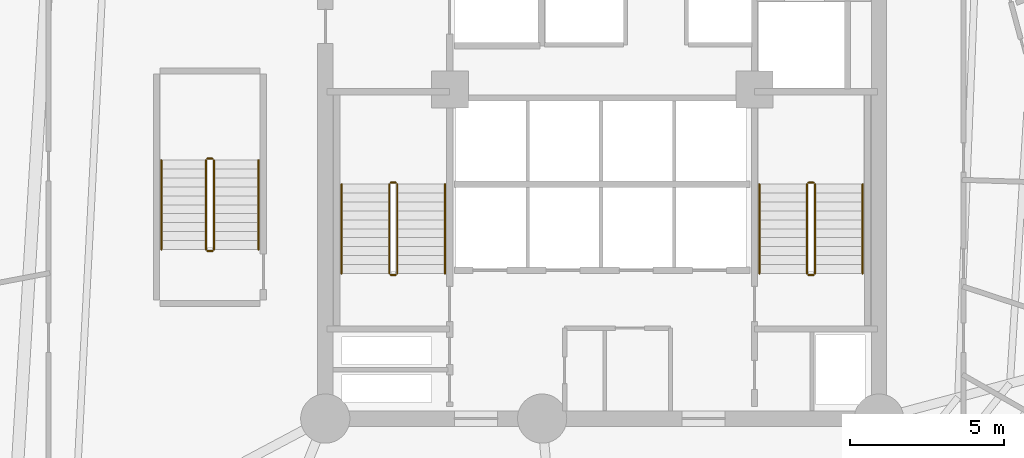
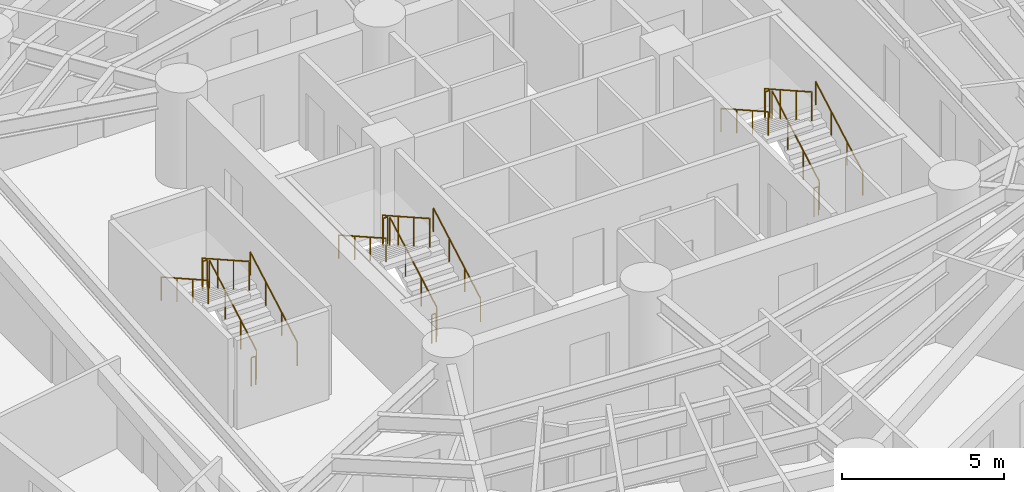
# One storey, part 8 of 8: 18 railings.
"""IFC4 building model written with IfcOpenShell, lengths in metres."""

from ifc_helpers import new_model, si_unit, direction, frame, origin, origin_2d, place, context, subcontext, project, spatial, circle, extrude, material, layer, layer_set, type_object, element, save


model = new_model("IFC4")

# Units and contexts
model_context = context("Model", 3, precision=1e-05, world=origin(), true_north=direction((0.0, 1.0)))
body_context = subcontext(model_context, "Body", "Model", "MODEL_VIEW")
ifc_project = project(units=[si_unit("LENGTHUNIT", "METRE"), si_unit("AREAUNIT", "SQUARE_METRE"), si_unit("VOLUMEUNIT", "CUBIC_METRE"), si_unit("PLANEANGLEUNIT", "RADIAN"), si_unit("MASSUNIT", "GRAM", prefix="KILO")], contexts=[model_context])

# Site, building, storey
site_placement = place(None, origin())
site = spatial("IfcSite", under=ifc_project, at=site_placement, CompositionType="ELEMENT")
building_placement = place(site_placement, origin())
building = spatial("IfcBuilding", under=site, at=building_placement, Name="Karkom Vertical University and Central Library", CompositionType="ELEMENT")
storey_placement = place(building_placement, frame((0.0, 0.0, 62.5)))
storey = spatial("IfcBuildingStorey", under=building, at=storey_placement, Name="L16", CompositionType="ELEMENT", Elevation=62.5)

# Railings
ifc_material_1 = material(Name="Painted galvanised steel balustrade", Category="steel")
ifc_layer_1 = layer(ifc_material_1, 0.06005859375)
ifc_layer_set_1 = layer_set([ifc_layer_1], Name="Painted galvanised steel balustrade")
railing_type_1 = type_object("IfcRailingType", Name="INT-RL-GUARD1100", PredefinedType="GUARDRAIL", material=ifc_layer_set_1)
railing_1_placement = place(storey_placement, frame((21.840087890625, 23.02001953125, 0.16357421875)))
element("IfcRailing", 1, at=railing_1_placement, inside=storey, type_object=railing_type_1, Name="Level 16 ST-1 stair guard 1", PredefinedType="GUARDRAIL", context=body_context, shape_type="SweptSolid", body=[
    extrude(circle(Radius=0.02392578125, at=origin_2d()), frame((0.0, 0.0, 1.076171875), z_axis=(0.0, 0.870897200241, 0.491465224214), x_axis=(-1.0, 0.0, 0.0)), (0.0, 0.0, 1.0), 3.329833984375),
    extrude(circle(Radius=0.02099609375, at=origin_2d()), origin(), (0.0, 0.0, 1.0), 1.052001953125),
    extrude(circle(Radius=0.02099609375, at=origin_2d()), frame((0.0, 0.966552734375, 0.54541015625)), (0.0, 0.0, 1.0), 1.052001953125),
    extrude(circle(Radius=0.02099609375, at=origin_2d()), frame((0.0, 1.933349609375, 1.091064453125)), (0.0, 0.0, 1.0), 1.052001953125),
    extrude(circle(Radius=0.02099609375, at=origin_2d()), frame((0.0, 2.89990234375, 1.636474609375)), (0.0, 0.0, 1.0), 1.052001953125),
])
railing_2_placement = place(storey_placement, frame((21.7900390625, 25.969970703125, 1.800048828125)))
element("IfcRailing", 2, at=railing_2_placement, inside=storey, type_object=railing_type_1, Name="Level 16 ST-1 stair guard 2", PredefinedType="GUARDRAIL", context=body_context, shape_type="SweptSolid", body=[
    extrude(circle(Radius=0.02392578125, at=origin_2d()), frame((0.0, 0.0, 1.076171875), z_axis=(-1.0, 0.0, 0.0), x_axis=(0.0, -1.0, 0.0)), (0.0, 0.0, 1.0), 0.16015625),
    extrude(circle(Radius=0.02099609375, at=origin_2d()), origin(), (0.0, 0.0, 1.0), 1.052001953125),
    extrude(circle(Radius=0.02099609375, at=origin_2d()), frame((-0.16015625, 0.0, 0.0)), (0.0, 0.0, 1.0), 1.052001953125),
])
railing_3_placement = place(storey_placement, frame((21.580078125, 25.919921875, 1.963623046875)))
element("IfcRailing", 3, at=railing_3_placement, inside=storey, type_object=railing_type_1, Name="Level 16 ST-1 stair guard 3", PredefinedType="GUARDRAIL", context=body_context, shape_type="SweptSolid", body=[
    extrude(circle(Radius=0.02392578125, at=origin_2d()), frame((0.0, 0.0, 1.076171875), z_axis=(0.0, -0.870897200241, 0.491465224214), x_axis=(1.0, 0.0, 0.0)), (0.0, 0.0, 1.0), 3.329833984375),
    extrude(circle(Radius=0.02099609375, at=origin_2d()), origin(), (0.0, 0.0, 1.0), 1.052001953125),
    extrude(circle(Radius=0.02099609375, at=origin_2d()), frame((0.0, -0.966552734375, 0.54541015625)), (0.0, 0.0, 1.0), 1.052001953125),
    extrude(circle(Radius=0.02099609375, at=origin_2d()), frame((0.0, -1.933349609375, 1.091064453125)), (0.0, 0.0, 1.0), 1.052001953125),
    extrude(circle(Radius=0.02099609375, at=origin_2d()), frame((0.0, -2.89990234375, 1.636474609375)), (0.0, 0.0, 1.0), 1.052001953125),
])
railing_4_placement = place(storey_placement, frame((21.7900390625, 22.969970703125, 0.0)))
element("IfcRailing", 4, at=railing_4_placement, inside=storey, type_object=railing_type_1, Name="Level 16 ST-1 stair guard 4", PredefinedType="GUARDRAIL", context=body_context, shape_type="SweptSolid", body=[
    extrude(circle(Radius=0.02392578125, at=origin_2d()), frame((0.0, 0.0, 1.076171875), z_axis=(-1.0, 0.0, 0.0), x_axis=(0.0, -1.0, 0.0)), (0.0, 0.0, 1.0), 0.16015625),
    extrude(circle(Radius=0.02099609375, at=origin_2d()), origin(), (0.0, 0.0, 1.0), 1.052001953125),
    extrude(circle(Radius=0.02099609375, at=origin_2d()), frame((-0.16015625, 0.0, 0.0)), (0.0, 0.0, 1.0), 1.052001953125),
])
railing_5_placement = place(storey_placement, frame((35.419921875, 23.02001953125, 0.16357421875)))
element("IfcRailing", 5, at=railing_5_placement, inside=storey, type_object=railing_type_1, Name="Level 16 ST-2 stair guard 1", PredefinedType="GUARDRAIL", context=body_context, shape_type="SweptSolid", body=[
    extrude(circle(Radius=0.02392578125, at=origin_2d()), frame((0.0, 0.0, 1.076171875), z_axis=(0.0, 0.870897200241, 0.491465224214), x_axis=(-1.0, 0.0, 0.0)), (0.0, 0.0, 1.0), 3.329833984375),
    extrude(circle(Radius=0.02099609375, at=origin_2d()), origin(), (0.0, 0.0, 1.0), 1.052001953125),
    extrude(circle(Radius=0.02099609375, at=origin_2d()), frame((0.0, 0.966552734375, 0.54541015625)), (0.0, 0.0, 1.0), 1.052001953125),
    extrude(circle(Radius=0.02099609375, at=origin_2d()), frame((0.0, 1.933349609375, 1.091064453125)), (0.0, 0.0, 1.0), 1.052001953125),
    extrude(circle(Radius=0.02099609375, at=origin_2d()), frame((0.0, 2.89990234375, 1.636474609375)), (0.0, 0.0, 1.0), 1.052001953125),
])
railing_6_placement = place(storey_placement, frame((35.3701171875, 25.969970703125, 1.800048828125)))
element("IfcRailing", 6, at=railing_6_placement, inside=storey, type_object=railing_type_1, Name="Level 16 ST-2 stair guard 2", PredefinedType="GUARDRAIL", context=body_context, shape_type="SweptSolid", body=[
    extrude(circle(Radius=0.02392578125, at=origin_2d()), frame((0.0, 0.0, 1.076171875), z_axis=(-1.0, 0.0, 0.0), x_axis=(0.0, -1.0, 0.0)), (0.0, 0.0, 1.0), 0.16015625),
    extrude(circle(Radius=0.02099609375, at=origin_2d()), origin(), (0.0, 0.0, 1.0), 1.052001953125),
    extrude(circle(Radius=0.02099609375, at=origin_2d()), frame((-0.16015625, 0.0, 0.0)), (0.0, 0.0, 1.0), 1.052001953125),
])
railing_7_placement = place(storey_placement, frame((35.159912109375, 25.919921875, 1.963623046875)))
element("IfcRailing", 7, at=railing_7_placement, inside=storey, type_object=railing_type_1, Name="Level 16 ST-2 stair guard 3", PredefinedType="GUARDRAIL", context=body_context, shape_type="SweptSolid", body=[
    extrude(circle(Radius=0.02392578125, at=origin_2d()), frame((0.0, 0.0, 1.076171875), z_axis=(0.0, -0.870897200241, 0.491465224214), x_axis=(1.0, 0.0, 0.0)), (0.0, 0.0, 1.0), 3.329833984375),
    extrude(circle(Radius=0.02099609375, at=origin_2d()), origin(), (0.0, 0.0, 1.0), 1.052001953125),
    extrude(circle(Radius=0.02099609375, at=origin_2d()), frame((0.0, -0.966552734375, 0.54541015625)), (0.0, 0.0, 1.0), 1.052001953125),
    extrude(circle(Radius=0.02099609375, at=origin_2d()), frame((0.0, -1.933349609375, 1.091064453125)), (0.0, 0.0, 1.0), 1.052001953125),
    extrude(circle(Radius=0.02099609375, at=origin_2d()), frame((0.0, -2.89990234375, 1.636474609375)), (0.0, 0.0, 1.0), 1.052001953125),
])
railing_8_placement = place(storey_placement, frame((35.3701171875, 22.969970703125, 0.0)))
element("IfcRailing", 8, at=railing_8_placement, inside=storey, type_object=railing_type_1, Name="Level 16 ST-2 stair guard 4", PredefinedType="GUARDRAIL", context=body_context, shape_type="SweptSolid", body=[
    extrude(circle(Radius=0.02392578125, at=origin_2d()), frame((0.0, 0.0, 1.076171875), z_axis=(-1.0, 0.0, 0.0), x_axis=(0.0, -1.0, 0.0)), (0.0, 0.0, 1.0), 0.16015625),
    extrude(circle(Radius=0.02099609375, at=origin_2d()), origin(), (0.0, 0.0, 1.0), 1.052001953125),
    extrude(circle(Radius=0.02099609375, at=origin_2d()), frame((-0.16015625, 0.0, 0.0)), (0.0, 0.0, 1.0), 1.052001953125),
])
railing_9_placement = place(storey_placement, frame((15.8798828125, 23.800048828125, 0.16357421875)))
element("IfcRailing", 9, at=railing_9_placement, inside=storey, type_object=railing_type_1, Name="Level 16 ST-3 stair guard 1", PredefinedType="GUARDRAIL", context=body_context, shape_type="SweptSolid", body=[
    extrude(circle(Radius=0.02392578125, at=origin_2d()), frame((0.0, 0.0, 1.076171875), z_axis=(0.0, 0.870897200241, 0.491465224214), x_axis=(-1.0, 0.0, 0.0)), (0.0, 0.0, 1.0), 3.329833984375),
    extrude(circle(Radius=0.02099609375, at=origin_2d()), origin(), (0.0, 0.0, 1.0), 1.052001953125),
    extrude(circle(Radius=0.02099609375, at=origin_2d()), frame((0.0, 0.966552734375, 0.54541015625)), (0.0, 0.0, 1.0), 1.052001953125),
    extrude(circle(Radius=0.02099609375, at=origin_2d()), frame((0.0, 1.933349609375, 1.091064453125)), (0.0, 0.0, 1.0), 1.052001953125),
    extrude(circle(Radius=0.02099609375, at=origin_2d()), frame((0.0, 2.89990234375, 1.636474609375)), (0.0, 0.0, 1.0), 1.052001953125),
])
railing_10_placement = place(storey_placement, frame((15.830078125, 26.75, 1.800048828125)))
element("IfcRailing", 10, at=railing_10_placement, inside=storey, type_object=railing_type_1, Name="Level 16 ST-3 stair guard 2", PredefinedType="GUARDRAIL", context=body_context, shape_type="SweptSolid", body=[
    extrude(circle(Radius=0.02392578125, at=origin_2d()), frame((0.0, 0.0, 1.076171875), z_axis=(-1.0, 0.0, 0.0), x_axis=(0.0, -1.0, 0.0)), (0.0, 0.0, 1.0), 0.16015625),
    extrude(circle(Radius=0.02099609375, at=origin_2d()), origin(), (0.0, 0.0, 1.0), 1.052001953125),
    extrude(circle(Radius=0.02099609375, at=origin_2d()), frame((-0.16015625, 0.0, 0.0)), (0.0, 0.0, 1.0), 1.052001953125),
])
railing_11_placement = place(storey_placement, frame((15.6201171875, 26.699951171875, 1.963623046875)))
element("IfcRailing", 11, at=railing_11_placement, inside=storey, type_object=railing_type_1, Name="Level 16 ST-3 stair guard 3", PredefinedType="GUARDRAIL", context=body_context, shape_type="SweptSolid", body=[
    extrude(circle(Radius=0.02392578125, at=origin_2d()), frame((0.0, 0.0, 1.076171875), z_axis=(0.0, -0.870897200241, 0.491465224214), x_axis=(1.0, 0.0, 0.0)), (0.0, 0.0, 1.0), 3.329833984375),
    extrude(circle(Radius=0.02099609375, at=origin_2d()), origin(), (0.0, 0.0, 1.0), 1.052001953125),
    extrude(circle(Radius=0.02099609375, at=origin_2d()), frame((0.0, -0.966552734375, 0.54541015625)), (0.0, 0.0, 1.0), 1.052001953125),
    extrude(circle(Radius=0.02099609375, at=origin_2d()), frame((0.0, -1.933349609375, 1.091064453125)), (0.0, 0.0, 1.0), 1.052001953125),
    extrude(circle(Radius=0.02099609375, at=origin_2d()), frame((0.0, -2.89990234375, 1.636474609375)), (0.0, 0.0, 1.0), 1.052001953125),
])
railing_12_placement = place(storey_placement, frame((15.830078125, 23.75, 0.0)))
element("IfcRailing", 12, at=railing_12_placement, inside=storey, type_object=railing_type_1, Name="Level 16 ST-3 stair guard 4", PredefinedType="GUARDRAIL", context=body_context, shape_type="SweptSolid", body=[
    extrude(circle(Radius=0.02392578125, at=origin_2d()), frame((0.0, 0.0, 1.076171875), z_axis=(-1.0, 0.0, 0.0), x_axis=(0.0, -1.0, 0.0)), (0.0, 0.0, 1.0), 0.16015625),
    extrude(circle(Radius=0.02099609375, at=origin_2d()), origin(), (0.0, 0.0, 1.0), 1.052001953125),
    extrude(circle(Radius=0.02099609375, at=origin_2d()), frame((-0.16015625, 0.0, 0.0)), (0.0, 0.0, 1.0), 1.052001953125),
])
ifc_material_2 = material(Name="Brushed stainless-steel tubular handrail", Category="steel")
ifc_layer_2 = layer(ifc_material_2, 0.048095703125)
ifc_layer_set_2 = layer_set([ifc_layer_2], Name="Brushed stainless-steel tubular handrail")
railing_type_2 = type_object("IfcRailingType", Name="INT-RL-HAND920", PredefinedType="HANDRAIL", material=ifc_layer_set_2)
railing_13_placement = place(storey_placement, frame((23.389892578125, 23.02001953125, 0.16357421875)))
element("IfcRailing", 13, at=railing_13_placement, inside=storey, type_object=railing_type_2, Name="Level 16 ST-1 stair handrail 1", PredefinedType="HANDRAIL", context=body_context, shape_type="SweptSolid", body=[
    extrude(circle(Radius=0.02392578125, at=origin_2d()), frame((0.0, 0.0, 0.8759765625), z_axis=(0.0, 0.870897200241, 0.491465224214), x_axis=(-1.0, 0.0, 0.0)), (0.0, 0.0, 1.0), 3.329833984375),
    extrude(circle(Radius=0.02099609375, at=origin_2d()), origin(), (0.0, 0.0, 1.0), 0.851806640625),
    extrude(circle(Radius=0.02099609375, at=origin_2d()), frame((0.0, 0.966552734375, 0.54541015625)), (0.0, 0.0, 1.0), 0.851806640625),
    extrude(circle(Radius=0.02099609375, at=origin_2d()), frame((0.0, 1.933349609375, 1.091064453125)), (0.0, 0.0, 1.0), 0.851806640625),
    extrude(circle(Radius=0.02099609375, at=origin_2d()), frame((0.0, 2.89990234375, 1.636474609375)), (0.0, 0.0, 1.0), 0.851806640625),
])
railing_14_placement = place(storey_placement, frame((20.030029296875, 25.919921875, 1.963623046875)))
element("IfcRailing", 14, at=railing_14_placement, inside=storey, type_object=railing_type_2, Name="Level 16 ST-1 stair handrail 2", PredefinedType="HANDRAIL", context=body_context, shape_type="SweptSolid", body=[
    extrude(circle(Radius=0.02392578125, at=origin_2d()), frame((0.0, 0.0, 0.8759765625), z_axis=(0.0, -0.870897200241, 0.491465224214), x_axis=(1.0, 0.0, 0.0)), (0.0, 0.0, 1.0), 3.329833984375),
    extrude(circle(Radius=0.02099609375, at=origin_2d()), origin(), (0.0, 0.0, 1.0), 0.851806640625),
    extrude(circle(Radius=0.02099609375, at=origin_2d()), frame((0.0, -0.966552734375, 0.54541015625)), (0.0, 0.0, 1.0), 0.851806640625),
    extrude(circle(Radius=0.02099609375, at=origin_2d()), frame((0.0, -1.933349609375, 1.091064453125)), (0.0, 0.0, 1.0), 0.851806640625),
    extrude(circle(Radius=0.02099609375, at=origin_2d()), frame((0.0, -2.89990234375, 1.636474609375)), (0.0, 0.0, 1.0), 0.851806640625),
])
railing_15_placement = place(storey_placement, frame((36.969970703125, 23.02001953125, 0.16357421875)))
element("IfcRailing", 15, at=railing_15_placement, inside=storey, type_object=railing_type_2, Name="Level 16 ST-2 stair handrail 1", PredefinedType="HANDRAIL", context=body_context, shape_type="SweptSolid", body=[
    extrude(circle(Radius=0.02392578125, at=origin_2d()), frame((0.0, 0.0, 0.8759765625), z_axis=(0.0, 0.870897200241, 0.491465224214), x_axis=(-1.0, 0.0, 0.0)), (0.0, 0.0, 1.0), 3.329833984375),
    extrude(circle(Radius=0.02099609375, at=origin_2d()), origin(), (0.0, 0.0, 1.0), 0.851806640625),
    extrude(circle(Radius=0.02099609375, at=origin_2d()), frame((0.0, 0.966552734375, 0.54541015625)), (0.0, 0.0, 1.0), 0.851806640625),
    extrude(circle(Radius=0.02099609375, at=origin_2d()), frame((0.0, 1.933349609375, 1.091064453125)), (0.0, 0.0, 1.0), 0.851806640625),
    extrude(circle(Radius=0.02099609375, at=origin_2d()), frame((0.0, 2.89990234375, 1.636474609375)), (0.0, 0.0, 1.0), 0.851806640625),
])
railing_16_placement = place(storey_placement, frame((33.610107421875, 25.919921875, 1.963623046875)))
element("IfcRailing", 16, at=railing_16_placement, inside=storey, type_object=railing_type_2, Name="Level 16 ST-2 stair handrail 2", PredefinedType="HANDRAIL", context=body_context, shape_type="SweptSolid", body=[
    extrude(circle(Radius=0.02392578125, at=origin_2d()), frame((0.0, 0.0, 0.8759765625), z_axis=(0.0, -0.870897200241, 0.491465224214), x_axis=(1.0, 0.0, 0.0)), (0.0, 0.0, 1.0), 3.329833984375),
    extrude(circle(Radius=0.02099609375, at=origin_2d()), origin(), (0.0, 0.0, 1.0), 0.851806640625),
    extrude(circle(Radius=0.02099609375, at=origin_2d()), frame((0.0, -0.966552734375, 0.54541015625)), (0.0, 0.0, 1.0), 0.851806640625),
    extrude(circle(Radius=0.02099609375, at=origin_2d()), frame((0.0, -1.933349609375, 1.091064453125)), (0.0, 0.0, 1.0), 0.851806640625),
    extrude(circle(Radius=0.02099609375, at=origin_2d()), frame((0.0, -2.89990234375, 1.636474609375)), (0.0, 0.0, 1.0), 0.851806640625),
])
railing_17_placement = place(storey_placement, frame((17.330078125, 23.800048828125, 0.16357421875)))
element("IfcRailing", 17, at=railing_17_placement, inside=storey, type_object=railing_type_2, Name="Level 16 ST-3 stair handrail 1", PredefinedType="HANDRAIL", context=body_context, shape_type="SweptSolid", body=[
    extrude(circle(Radius=0.02392578125, at=origin_2d()), frame((0.0, 0.0, 0.8759765625), z_axis=(0.0, 0.870897200241, 0.491465224214), x_axis=(-1.0, 0.0, 0.0)), (0.0, 0.0, 1.0), 3.329833984375),
    extrude(circle(Radius=0.02099609375, at=origin_2d()), origin(), (0.0, 0.0, 1.0), 0.851806640625),
    extrude(circle(Radius=0.02099609375, at=origin_2d()), frame((0.0, 0.966552734375, 0.54541015625)), (0.0, 0.0, 1.0), 0.851806640625),
    extrude(circle(Radius=0.02099609375, at=origin_2d()), frame((0.0, 1.933349609375, 1.091064453125)), (0.0, 0.0, 1.0), 0.851806640625),
    extrude(circle(Radius=0.02099609375, at=origin_2d()), frame((0.0, 2.89990234375, 1.636474609375)), (0.0, 0.0, 1.0), 0.851806640625),
])
railing_18_placement = place(storey_placement, frame((14.169921875, 26.699951171875, 1.963623046875)))
element("IfcRailing", 18, at=railing_18_placement, inside=storey, type_object=railing_type_2, Name="Level 16 ST-3 stair handrail 2", PredefinedType="HANDRAIL", context=body_context, shape_type="SweptSolid", body=[
    extrude(circle(Radius=0.02392578125, at=origin_2d()), frame((0.0, 0.0, 0.8759765625), z_axis=(0.0, -0.870897200241, 0.491465224214), x_axis=(1.0, 0.0, 0.0)), (0.0, 0.0, 1.0), 3.329833984375),
    extrude(circle(Radius=0.02099609375, at=origin_2d()), origin(), (0.0, 0.0, 1.0), 0.851806640625),
    extrude(circle(Radius=0.02099609375, at=origin_2d()), frame((0.0, -0.966552734375, 0.54541015625)), (0.0, 0.0, 1.0), 0.851806640625),
    extrude(circle(Radius=0.02099609375, at=origin_2d()), frame((0.0, -1.933349609375, 1.091064453125)), (0.0, 0.0, 1.0), 0.851806640625),
    extrude(circle(Radius=0.02099609375, at=origin_2d()), frame((0.0, -2.89990234375, 1.636474609375)), (0.0, 0.0, 1.0), 0.851806640625),
])

save(model, "model.ifc")
